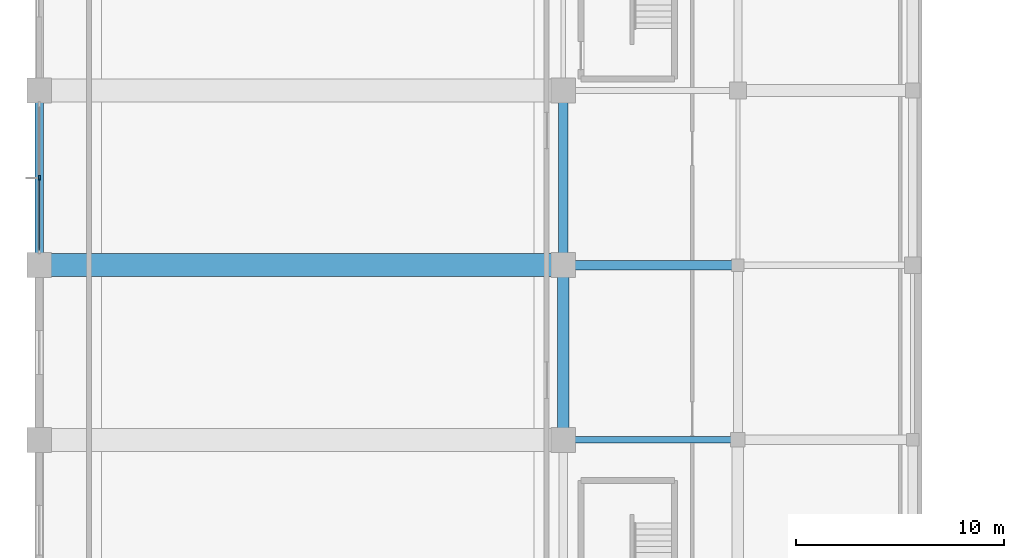
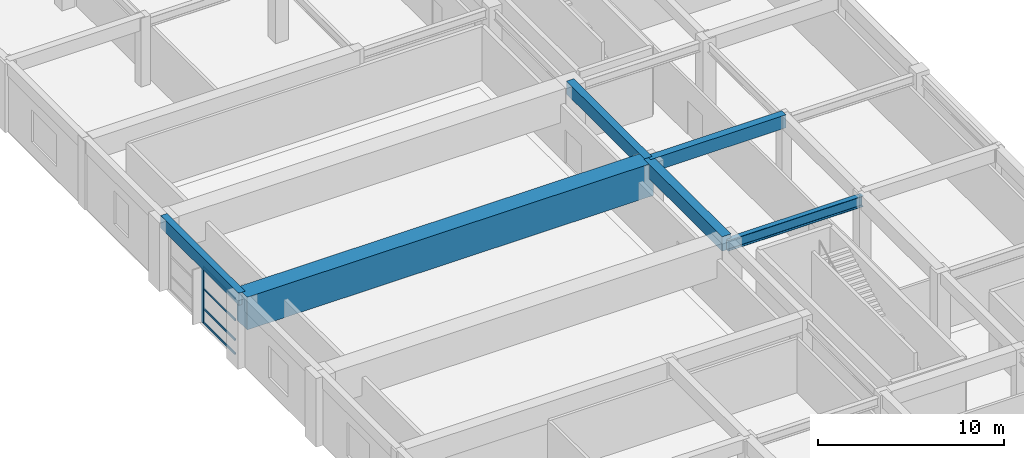
# One storey, part 12 of 60: 6 beams, 5 members, 1 element without a shape of its own.
"""IFC4 building model written with IfcOpenShell, lengths in metres."""

from ifc_helpers import new_model, si_unit, direction, frame, origin, origin_2d, place, context, subcontext, project, spatial, rectangle, i_section, extrude, material, material_profile, profile_set, type_object, element, aggregate, save


model = new_model("IFC4")

# Units and contexts
model_context = context("Model", 3, precision=1e-05, world=origin(), true_north=direction((0.0, 1.0)))
body_context = subcontext(model_context, "Body", "Model", "MODEL_VIEW")
ifc_project = project(units=[si_unit("LENGTHUNIT", "METRE"), si_unit("AREAUNIT", "SQUARE_METRE"), si_unit("VOLUMEUNIT", "CUBIC_METRE"), si_unit("PLANEANGLEUNIT", "RADIAN"), si_unit("MASSUNIT", "GRAM", prefix="KILO")], contexts=[model_context])

# Site, building, storey
site_placement = place(None, origin())
site = spatial("IfcSite", under=ifc_project, at=site_placement, CompositionType="ELEMENT")
building_placement = place(site_placement, origin())
building = spatial("IfcBuilding", under=site, at=building_placement, Name="Xuanlan Plaza Opera House", CompositionType="ELEMENT")
storey_placement = place(building_placement, frame((0.0, 0.0, 9.89990234375)))
storey = spatial("IfcBuildingStorey", under=building, at=storey_placement, Name="L02", CompositionType="ELEMENT", Elevation=9.89990234375)

# Curtain wall, members
ifc_material_1 = material(Name="Anodised Aluminium 6063-T6 and Low-E Glass", Category="aluminium")
curtain_wall_type = type_object("IfcCurtainWallType", Name="ENV-CW-CW-03", PredefinedType="USERDEFINED", material=ifc_material_1)
curtain_wall_placement = place(storey_placement, origin())
curtain_wall = element("IfcCurtainWall", 1, at=curtain_wall_placement, inside=storey, type_object=curtain_wall_type, Name="Unitised Curtain Wall L02-051", ObjectType="UNITISED CURTAIN WALL", PredefinedType="USERDEFINED")
ifc_material_2 = material(Name="Anodised Aluminium 6063-T6", Category="aluminium")
ifc_material_profile_1 = material_profile(ifc_material_2, rectangle(XDim=0.090087890625, YDim=0.25, at=origin_2d()), Name="ALU-M 90x250")
ifc_profile_set_1 = profile_set([ifc_material_profile_1], Name="Anodised Aluminium 6063-T6")
member_type_1 = type_object("IfcMemberType", Name="ENV-CWM-05", PredefinedType="MULLION", material=ifc_profile_set_1)
member_1_placement = place(storey_placement, frame((0.0, 63.0, 0.0), z_axis=(0.0, 0.0, 1.0), x_axis=(1.0, 0.0, 0.0)))
member_1 = element("IfcMember", 2, at=member_1_placement, type_object=member_type_1, Name="CW-03 mullion 2", PredefinedType="MULLION", context=body_context, shape_type="SweptSolid", body=[
    extrude(rectangle(XDim=0.090087890625, YDim=0.25, at=origin_2d()), origin(), (0.0, 0.0, 1.0), 3.68017578125),
])
ifc_material_profile_2 = material_profile(ifc_material_2, rectangle(XDim=0.06494140625, YDim=0.1201171875, at=origin_2d()), Name="ALU-T 65x120")
ifc_profile_set_2 = profile_set([ifc_material_profile_2], Name="Anodised Aluminium 6063-T6")
member_type_2 = type_object("IfcMemberType", Name="ENV-CWT-01", PredefinedType="USERDEFINED", material=ifc_profile_set_2)
member_2_placement = place(storey_placement, frame((0.0, 62.955078125, 0.03271484375), z_axis=(0.0, -1.0, 0.0), x_axis=(1.0, 0.0, 0.0)))
member_2 = element("IfcMember", 3, at=member_2_placement, type_object=member_type_2, Name="CW-03 transom 2.1", ObjectType="TRANSOM", PredefinedType="USERDEFINED", context=body_context, shape_type="SweptSolid", body=[
    extrude(rectangle(XDim=0.06494140625, YDim=0.1201171875, at=origin_2d()), origin(), (0.0, 0.0, 1.0), 3.445068359375),
])
member_3_placement = place(storey_placement, frame((0.0, 62.955078125, 0.9501953125), z_axis=(0.0, -1.0, 0.0), x_axis=(1.0, 0.0, 0.0)))
member_3 = element("IfcMember", 4, at=member_3_placement, type_object=member_type_2, Name="CW-03 transom 2.2", ObjectType="TRANSOM", PredefinedType="USERDEFINED", context=body_context, shape_type="SweptSolid", body=[
    extrude(rectangle(XDim=0.06494140625, YDim=0.1201171875, at=origin_2d()), origin(), (0.0, 0.0, 1.0), 3.445068359375),
])
member_4_placement = place(storey_placement, frame((0.0, 62.955078125, 2.25), z_axis=(0.0, -1.0, 0.0), x_axis=(1.0, 0.0, 0.0)))
member_4 = element("IfcMember", 5, at=member_4_placement, type_object=member_type_2, Name="CW-03 transom 2.3", ObjectType="TRANSOM", PredefinedType="USERDEFINED", context=body_context, shape_type="SweptSolid", body=[
    extrude(rectangle(XDim=0.06494140625, YDim=0.1201171875, at=origin_2d()), origin(), (0.0, 0.0, 1.0), 3.445068359375),
])
member_5_placement = place(storey_placement, frame((0.0, 62.955078125, 3.647705078125), z_axis=(0.0, -1.0, 0.0), x_axis=(1.0, 0.0, 0.0)))
member_5 = element("IfcMember", 6, at=member_5_placement, type_object=member_type_2, Name="CW-03 transom 2.4", ObjectType="TRANSOM", PredefinedType="USERDEFINED", context=body_context, shape_type="SweptSolid", body=[
    extrude(rectangle(XDim=0.06494140625, YDim=0.1201171875, at=origin_2d()), origin(), (0.0, 0.0, 1.0), 3.445068359375),
])
aggregate(curtain_wall, [member_1, member_2, member_3, member_4, member_5])

# Beams
ifc_material_3 = material(Name="Concrete C50", Category="concrete")
ifc_material_profile_3 = material_profile(ifc_material_3, rectangle(XDim=0.550048828125, YDim=0.949951171875, at=origin_2d()), Name="RC-BM 550x950")
ifc_profile_set_3 = profile_set([ifc_material_profile_3], Name="Concrete C50")
beam_type_1 = type_object("IfcBeamType", Name="STR-BM-B-02", PredefinedType="BEAM", material=ifc_profile_set_3)
beam_1_placement = place(storey_placement, frame((25.199951171875, 50.39990234375, 4.025146484375), z_axis=(0.0, 1.0, 0.0), x_axis=(-1.0, 0.0, 0.0)))
element("IfcBeam", 7, at=beam_1_placement, inside=storey, type_object=beam_type_1, Name="Grid Beam Y L02 4/G-H", PredefinedType="BEAM", context=body_context, shape_type="SweptSolid", body=[
    extrude(rectangle(XDim=0.550048828125, YDim=0.949951171875, at=origin_2d()), origin(), (0.0, 0.0, 1.0), 8.400146484375),
])
ifc_material_4 = material(Name="Concrete C40", Category="concrete")
ifc_material_profile_4 = material_profile(ifc_material_4, rectangle(XDim=0.449951171875, YDim=0.85009765625, at=origin_2d()), Name="RC-BM 450x850")
ifc_profile_set_4 = profile_set([ifc_material_profile_4], Name="Concrete C40")
beam_type_2 = type_object("IfcBeamType", Name="STR-BM-B-04", PredefinedType="BEAM", material=ifc_profile_set_4)
beam_2_placement = place(storey_placement, frame((25.199951171875, 58.800048828125, 4.0751953125), z_axis=(1.0, 0.0, 0.0), x_axis=(0.0, 1.0, 0.0)))
element("IfcBeam", 8, at=beam_2_placement, inside=storey, type_object=beam_type_2, Name="Grid Beam X L02 4-5/H", PredefinedType="BEAM", context=body_context, shape_type="SweptSolid", body=[
    extrude(rectangle(XDim=0.449951171875, YDim=0.85009765625, at=origin_2d()), origin(), (0.0, 0.0, 1.0), 8.400146484375),
])
beam_3_placement = place(storey_placement, frame((25.199951171875, 58.800048828125, 4.0751953125), z_axis=(0.0, 1.0, 0.0), x_axis=(-1.0, 0.0, 0.0)))
element("IfcBeam", 9, at=beam_3_placement, inside=storey, type_object=beam_type_2, Name="Grid Beam Y L02 4/H-I", PredefinedType="BEAM", context=body_context, shape_type="SweptSolid", body=[
    extrude(rectangle(XDim=0.449951171875, YDim=0.85009765625, at=origin_2d()), origin(), (0.0, 0.0, 1.0), 8.39990234375),
])
ifc_material_5 = material(Name="Concrete C60", Category="concrete")
ifc_material_profile_5 = material_profile(ifc_material_5, rectangle(XDim=1.10009765625, YDim=2.14990234375, at=origin_2d()), Name="RC-TG 1100x2150")
ifc_profile_set_5 = profile_set([ifc_material_profile_5], Name="Concrete C60")
beam_type_3 = type_object("IfcBeamType", Name="STR-BM-LG-03", PredefinedType="BEAM", material=ifc_profile_set_5)
beam_4_placement = place(storey_placement, frame((0.0, 58.800048828125, 3.425048828125), z_axis=(1.0, 0.0, 0.0), x_axis=(0.0, 1.0, 0.0)))
element("IfcBeam", 10, at=beam_4_placement, inside=storey, type_object=beam_type_3, Name="Grid Beam X L02 1-4/H", PredefinedType="BEAM", context=body_context, shape_type="SweptSolid", body=[
    extrude(rectangle(XDim=1.10009765625, YDim=2.14990234375, at=origin_2d()), origin(), (0.0, 0.0, 1.0), 25.199951171875),
])
ifc_material_6 = material(Name="Steel Q355B", Category="steel")
ifc_material_profile_6 = material_profile(ifc_material_6, i_section(OverallWidth=0.300048828125, OverallDepth=0.699951171875, WebThickness=0.012939453125, FlangeThickness=0.02392578125, FilletRadius=0.02392578125, at=origin_2d()), Name="HN 700x300x13x24")
ifc_profile_set_6 = profile_set([ifc_material_profile_6], Name="Steel Q355B")
beam_type_4 = type_object("IfcBeamType", Name="STR-BM-SB-03", PredefinedType="BEAM", material=ifc_profile_set_6)
beam_5_placement = place(storey_placement, frame((25.199951171875, 50.39990234375, 3.885009765625), z_axis=(1.0, 0.0, 0.0), x_axis=(0.0, 1.0, 0.0)))
element("IfcBeam", 11, at=beam_5_placement, inside=storey, type_object=beam_type_4, Name="Grid Beam X L02 4-5/G", PredefinedType="BEAM", context=body_context, shape_type="SweptSolid", body=[
    extrude(i_section(OverallWidth=0.300048828125, OverallDepth=0.699951171875, WebThickness=0.012939453125, FlangeThickness=0.02392578125, FilletRadius=0.02392578125, at=origin_2d()), origin(), (0.0, 0.0, 1.0), 8.400146484375),
])
ifc_material_profile_7 = material_profile(ifc_material_4, rectangle(XDim=0.39990234375, YDim=0.800048828125, at=origin_2d()), Name="RC-SPD 400x800")
ifc_profile_set_7 = profile_set([ifc_material_profile_7], Name="Concrete C40")
beam_type_5 = type_object("IfcBeamType", Name="STR-BM-SP-01", PredefinedType="SPANDREL", material=ifc_profile_set_7)
beam_6_placement = place(storey_placement, frame((0.0, 58.800048828125, 4.10009765625), z_axis=(0.0, 1.0, 0.0), x_axis=(-1.0, 0.0, 0.0)))
element("IfcBeam", 12, at=beam_6_placement, inside=storey, type_object=beam_type_5, Name="Grid Beam Y L02 1/H-I", PredefinedType="SPANDREL", context=body_context, shape_type="SweptSolid", body=[
    extrude(rectangle(XDim=0.39990234375, YDim=0.800048828125, at=origin_2d()), origin(), (0.0, 0.0, 1.0), 8.39990234375),
])

save(model, "model.ifc")
